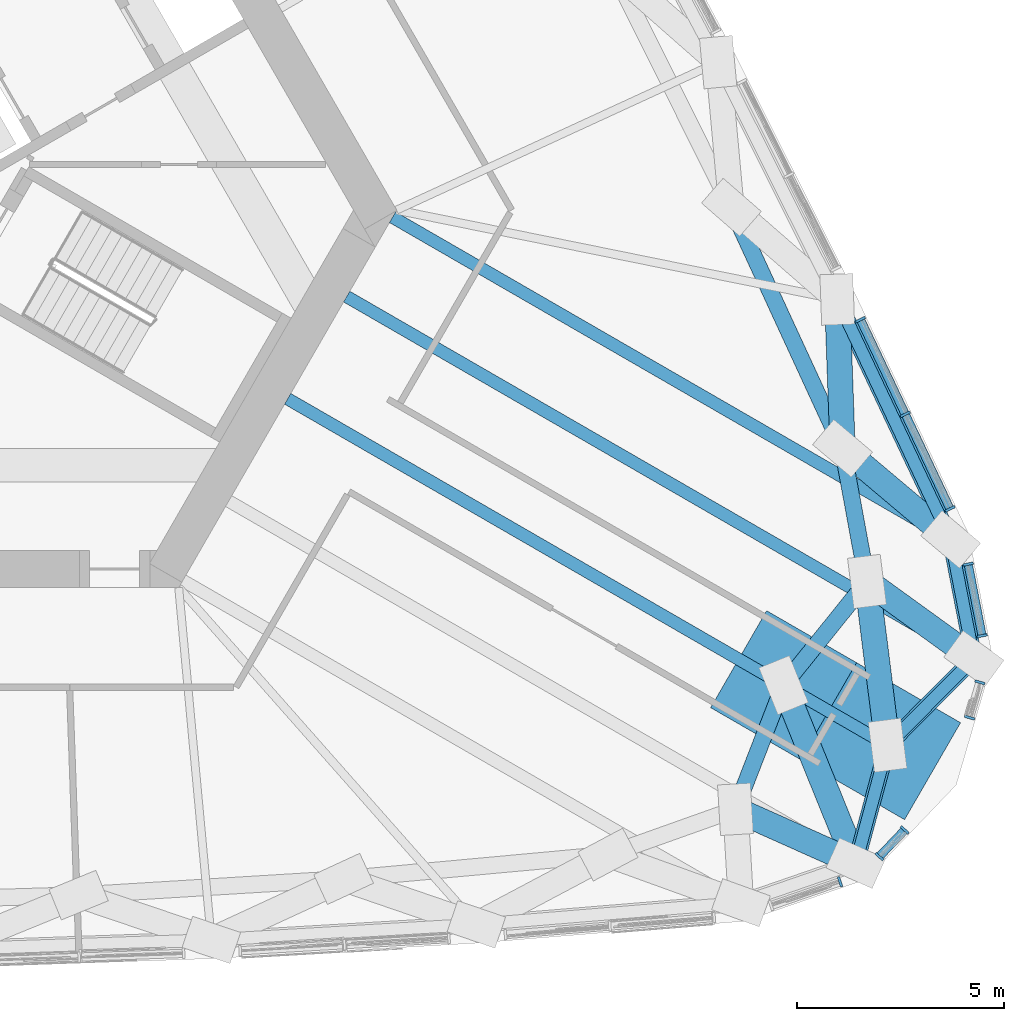
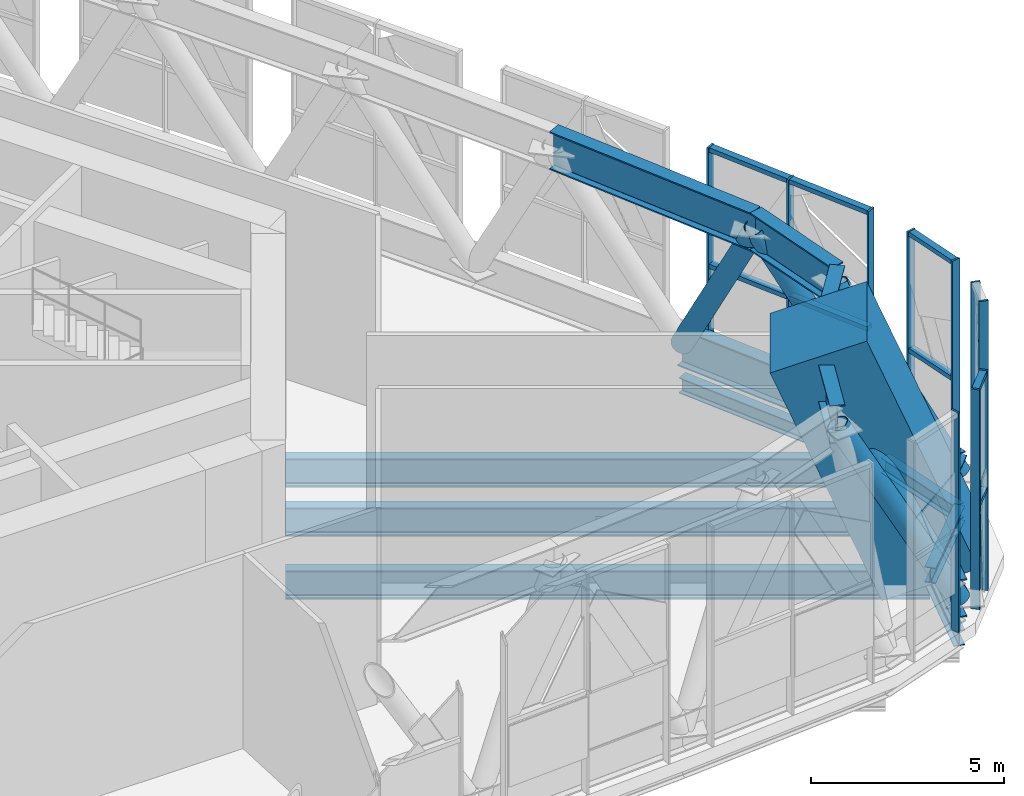
# One storey, part 6 of 33: 33 members, 7 beams, 2 elements without a shape of their own.
"""IFC4 building model written with IfcOpenShell, lengths in metres."""

from ifc_helpers import new_model, si_unit, direction, frame, origin, origin_2d, place, context, subcontext, project, spatial, rectangle, hollow_circle, i_section, extrude, material, material_profile, profile_set, type_object, element, aggregate, save


model = new_model("IFC4")

# Units and contexts
model_context = context("Model", 3, precision=1e-05, world=origin(), true_north=direction((0.0, 1.0)))
body_context = subcontext(model_context, "Body", "Model", "MODEL_VIEW")
ifc_project = project(units=[si_unit("LENGTHUNIT", "METRE"), si_unit("AREAUNIT", "SQUARE_METRE"), si_unit("VOLUMEUNIT", "CUBIC_METRE"), si_unit("PLANEANGLEUNIT", "RADIAN"), si_unit("MASSUNIT", "GRAM", prefix="KILO")], contexts=[model_context])

# Site, building, storey
site_placement = place(None, origin())
site = spatial("IfcSite", under=ifc_project, at=site_placement, CompositionType="ELEMENT")
building_placement = place(site_placement, origin())
building = spatial("IfcBuilding", under=site, at=building_placement, Name="Mestral Congress Tower", CompositionType="ELEMENT")
storey_placement = place(building_placement, frame((0.0, 0.0, 134.39990234375)))
storey = spatial("IfcBuildingStorey", under=building, at=storey_placement, Name="L32", CompositionType="ELEMENT", Elevation=134.39990234375)

# Members
ifc_material_1 = material(Name="Steel S355", Category="steel")
ifc_material_profile_1 = material_profile(ifc_material_1, i_section(OverallWidth=0.39990234375, OverallDepth=1.199951171875, WebThickness=0.02001953125, FlangeThickness=0.0400390625, FilletRadius=0.010009765625, at=origin_2d()), Name="WPG 1200")
ifc_profile_set_1 = profile_set([ifc_material_profile_1], Name="Steel S355")
member_type_1 = type_object("IfcMemberType", Name="Belt chord WPG 1200 S355", PredefinedType="CHORD", material=ifc_profile_set_1)
member_1_placement = place(storey_placement, frame((28.331298828125, -19.642822265625, 0.60009765625), z_axis=(0.260071585357, 0.96558933843, 0.0), x_axis=(-0.96558933843, 0.260071585357, 0.0)))
element("IfcMember", 1, at=member_1_placement, inside=storey, type_object=member_type_1, Name="MB-L32-BC2-SE1", PredefinedType="CHORD", context=body_context, shape_type="SweptSolid", body=[
    extrude(i_section(OverallWidth=0.39990234375, OverallDepth=1.199951171875, WebThickness=0.02001953125, FlangeThickness=0.0400390625, FilletRadius=0.010009765625, at=origin_2d()), origin(), (0.0, 0.0, 1.0), 2.94482421875),
])
member_2_placement = place(storey_placement, frame((29.09716796875, -16.79931640625, 0.60009765625), z_axis=(0.706152774218, 0.708059502771, 0.0), x_axis=(-0.708059502771, 0.706152774218, 0.0)))
element("IfcMember", 2, at=member_2_placement, inside=storey, type_object=member_type_1, Name="MB-L32-BC2-SE", PredefinedType="CHORD", context=body_context, shape_type="SweptSolid", body=[
    extrude(i_section(OverallWidth=0.39990234375, OverallDepth=1.199951171875, WebThickness=0.02001953125, FlangeThickness=0.0400390625, FilletRadius=0.010009765625, at=origin_2d()), origin(), (0.0, 0.0, 1.0), 2.945068359375),
])
member_3_placement = place(storey_placement, frame((31.1767578125, -14.714111328125, 0.60009765625), z_axis=(-0.190501452066, 0.981686913818, 0.0), x_axis=(-0.981686913818, -0.190501452066, 0.0)))
element("IfcMember", 3, at=member_3_placement, inside=storey, type_object=member_type_1, Name="MB-L32-BC2-SE3", PredefinedType="CHORD", context=body_context, shape_type="SweptSolid", body=[
    extrude(i_section(OverallWidth=0.39990234375, OverallDepth=1.199951171875, WebThickness=0.02001953125, FlangeThickness=0.0400390625, FilletRadius=0.010009765625, at=origin_2d()), origin(), (0.0, 0.0, 1.0), 2.928466796875),
])
member_4_placement = place(storey_placement, frame((30.618896484375, -11.83935546875, 0.60009765625), z_axis=(-0.427513966881, 0.904008743388, 0.0), x_axis=(-0.904008743388, -0.427513966881, 0.0)))
element("IfcMember", 4, at=member_4_placement, inside=storey, type_object=member_type_1, Name="MB-L32-BC2-E00", PredefinedType="CHORD", context=body_context, shape_type="SweptSolid", body=[
    extrude(i_section(OverallWidth=0.39990234375, OverallDepth=1.199951171875, WebThickness=0.02001953125, FlangeThickness=0.0400390625, FilletRadius=0.010009765625, at=origin_2d()), origin(), (0.0, 0.0, 1.0), 6.39990234375),
])
for number, where, z_axis, x_axis, name in (
    (5, (25.4296875, -18.34375, 6.35009765625), (0.361755943135, 0.932272834317, 0.0), (-0.932272834317, 0.361755943135, 0.0), "MB-L32-TC2-SE1"),
    (6, (26.590576171875, -15.35205078125, 6.35009765625), (0.626502543472, 0.779419375576, 0.0), (-0.779419375576, 0.626502543472, 0.0), "MB-L32-TC2-SE"),
):
    element("IfcMember", number, at=place(storey_placement, frame(where, z_axis=z_axis, x_axis=x_axis)), inside=storey, type_object=member_type_1, Name=name, PredefinedType="CHORD", context=body_context, shape_type="SweptSolid", body=[
        extrude(i_section(OverallWidth=0.39990234375, OverallDepth=1.199951171875, WebThickness=0.02001953125, FlangeThickness=0.0400390625, FilletRadius=0.010009765625, at=origin_2d()), origin(), (0.0, 0.0, 1.0), 3.208984375),
    ])
member_5_placement = place(storey_placement, frame((28.60107421875, -12.850830078125, 6.35009765625), z_axis=(-0.180729856011, 0.983532774821, 0.0), x_axis=(-0.983532774821, -0.180729856011, 0.0)))
element("IfcMember", 7, at=member_5_placement, inside=storey, type_object=member_type_1, Name="MB-L32-TC2-SE3", PredefinedType="CHORD", context=body_context, shape_type="SweptSolid", body=[
    extrude(i_section(OverallWidth=0.39990234375, OverallDepth=1.199951171875, WebThickness=0.02001953125, FlangeThickness=0.0400390625, FilletRadius=0.010009765625, at=origin_2d()), origin(), (0.0, 0.0, 1.0), 3.260986328125),
])
member_6_placement = place(storey_placement, frame((28.01171875, -9.6435546875, 6.35009765625), z_axis=(-0.418683166857, 0.908132372394, 0.0), x_axis=(-0.908132372394, -0.418683166857, 0.0)))
element("IfcMember", 8, at=member_6_placement, inside=storey, type_object=member_type_1, Name="MB-L32-TC2-E00", PredefinedType="CHORD", context=body_context, shape_type="SweptSolid", body=[
    extrude(i_section(OverallWidth=0.39990234375, OverallDepth=1.199951171875, WebThickness=0.02001953125, FlangeThickness=0.0400390625, FilletRadius=0.010009765625, at=origin_2d()), origin(), (0.0, 0.0, 1.0), 6.399658203125),
])
ifc_material_profile_2 = material_profile(ifc_material_1, hollow_circle(Radius=0.304931640625, WallThickness=0.02490234375, at=origin_2d()), Name="CHS 610x25")
ifc_profile_set_2 = profile_set([ifc_material_profile_2], Name="Steel S355")
member_type_2 = type_object("IfcMemberType", Name="Belt diagonal CHS 610x25 S355", PredefinedType="BRACE", material=ifc_profile_set_2)
member_7_placement = place(storey_placement, frame((28.331298828125, -19.642822265625, 0.60009765625), z_axis=(-0.441622351044, 0.197717503568, 0.875144266873), x_axis=(-0.408623679905, -0.912702957276, 0.0)))
element("IfcMember", 9, at=member_7_placement, inside=storey, type_object=member_type_2, Name="MD-L32-BD2-SE1.SE1", PredefinedType="BRACE", context=body_context, shape_type="SweptSolid", body=[
    extrude(hollow_circle(Radius=0.304931640625, WallThickness=0.02490234375, at=origin_2d()), origin(), (0.0, 0.0, 1.0), 6.5703125),
])
member_8_placement = place(storey_placement, frame((28.331298828125, -19.642822265625, 0.60009765625), z_axis=(-0.23578601479, 0.581197645152, 0.778854448854), x_axis=(-0.926647450882, -0.375931512079, 0.0)))
element("IfcMember", 10, at=member_8_placement, inside=storey, type_object=member_type_2, Name="MD-L32-BD2-SE1.SE", PredefinedType="BRACE", context=body_context, shape_type="SweptSolid", body=[
    extrude(hollow_circle(Radius=0.304931640625, WallThickness=0.02490234375, at=origin_2d()), origin(), (0.0, 0.0, 1.0), 7.382568359375),
])
member_9_placement = place(storey_placement, frame((29.09716796875, -16.79931640625, 0.60009765625), z_axis=(-0.070943577665, 0.564650827547, 0.822275167896), x_axis=(-0.992199340697, -0.124661414722, 0.0)))
element("IfcMember", 11, at=member_9_placement, inside=storey, type_object=member_type_2, Name="MD-L32-BD2-SE.SE3", PredefinedType="BRACE", context=body_context, shape_type="SweptSolid", body=[
    extrude(hollow_circle(Radius=0.304931640625, WallThickness=0.02490234375, at=origin_2d()), origin(), (0.0, 0.0, 1.0), 6.99267578125),
])
member_10_placement = place(storey_placement, frame((31.1767578125, -14.714111328125, 0.60009765625), z_axis=(-0.392020897575, 0.283592747895, 0.875154140255), x_axis=(-0.586124077179, -0.810221306898, 0.0)))
element("IfcMember", 12, at=member_10_placement, inside=storey, type_object=member_type_2, Name="MD-L32-BD2-SE3.SE3", PredefinedType="BRACE", context=body_context, shape_type="SweptSolid", body=[
    extrude(hollow_circle(Radius=0.304931640625, WallThickness=0.02490234375, at=origin_2d()), origin(), (0.0, 0.0, 1.0), 6.5703125),
])
member_11_placement = place(storey_placement, frame((30.618896484375, -11.83935546875, 0.60009765625), z_axis=(-0.390038224364, 0.328495532346, 0.860209781835), x_axis=(-0.644184267565, -0.764870335038, 0.0)))
element("IfcMember", 13, at=member_11_placement, inside=storey, type_object=member_type_2, Name="MD-L32-BD2-E00.E00", PredefinedType="BRACE", context=body_context, shape_type="SweptSolid", body=[
    extrude(hollow_circle(Radius=0.304931640625, WallThickness=0.02490234375, at=origin_2d()), origin(), (0.0, 0.0, 1.0), 6.684326171875),
])
member_12_placement = place(storey_placement, frame((27.8828125, -6.0537109375, 0.60009765625), z_axis=(0.019013197942, -0.529488754801, 0.848103859703), x_axis=(0.99935590917, 0.035885467903, 0.0)))
element("IfcMember", 14, at=member_12_placement, inside=storey, type_object=member_type_2, Name="MD-L32-BD2-E01.E00", PredefinedType="BRACE", context=body_context, shape_type="SweptSolid", body=[
    extrude(hollow_circle(Radius=0.304931640625, WallThickness=0.02490234375, at=origin_2d()), origin(), (0.0, 0.0, 1.0), 6.77978515625),
])

# Curtain wall, members
ifc_material_2 = material(Name="Clear low-emissivity double glazing", Category="glass")
curtain_wall_type = type_object("IfcCurtainWallType", Name="Facade sky lobby curtain wall", PredefinedType="USERDEFINED", material=ifc_material_2)
placement = place(storey_placement, origin())
curtain_wall_1 = element("IfcCurtainWall", 15, at=placement, inside=storey, type_object=curtain_wall_type, Name="Facade sky lobby curtain wall face 2", ObjectType="CURTAIN WALL", PredefinedType="USERDEFINED")
ifc_material_3 = material(Name="Anodised aluminium", Category="aluminium")
ifc_material_profile_3 = material_profile(ifc_material_3, rectangle(XDim=0.25, YDim=0.06005859375, at=origin_2d()), Name="CW1 mullion 250 x 60")
ifc_profile_set_3 = profile_set([ifc_material_profile_3], Name="Anodised aluminium")
member_type_3 = type_object("IfcMemberType", Name="Facade sky lobby curtain wall mullion", PredefinedType="MULLION", material=ifc_profile_set_3)
member_13_placement = place(storey_placement, frame((30.602294921875, -11.102294921875, 0.0), z_axis=(0.0, 0.0, 1.0), x_axis=(0.904005709394, 0.427520382418, 0.0)))
member_13 = element("IfcMember", 16, at=member_13_placement, type_object=member_type_3, Name="Facade sky lobby curtain wall mullion", PredefinedType="MULLION", context=body_context, shape_type="SweptSolid", body=[
    extrude(rectangle(XDim=0.25, YDim=0.06005859375, at=origin_2d()), origin(), (0.0, 0.0, 1.0), 6.9501953125),
])
member_14_placement = place(storey_placement, frame((29.5234375, -8.8212890625, 0.0), z_axis=(0.0, 0.0, 1.0), x_axis=(0.904005709394, 0.427520382418, 0.0)))
member_14 = element("IfcMember", 17, at=member_14_placement, type_object=member_type_3, Name="Facade sky lobby curtain wall mullion", PredefinedType="MULLION", context=body_context, shape_type="SweptSolid", body=[
    extrude(rectangle(XDim=0.25, YDim=0.06005859375, at=origin_2d()), origin(), (0.0, 0.0, 1.0), 6.9501953125),
])
member_15_placement = place(storey_placement, frame((28.44482421875, -6.5400390625, 0.0), z_axis=(0.0, 0.0, 1.0), x_axis=(0.904005709394, 0.427520382418, 0.0)))
member_15 = element("IfcMember", 18, at=member_15_placement, type_object=member_type_3, Name="Facade sky lobby curtain wall mullion", PredefinedType="MULLION", context=body_context, shape_type="SweptSolid", body=[
    extrude(rectangle(XDim=0.25, YDim=0.06005859375, at=origin_2d()), origin(), (0.0, 0.0, 1.0), 6.9501953125),
])

curtain_wall_2 = element("IfcCurtainWall", 19, at=placement, inside=storey, type_object=curtain_wall_type, Name="Facade sky lobby curtain wall corner 1", ObjectType="CURTAIN WALL", PredefinedType="USERDEFINED")
member_16_placement = place(storey_placement, frame((27.950927734375, -20.09130859375, 0.0), z_axis=(0.0, 0.0, 1.0), x_axis=(0.325886632538, -0.9454088548, 0.0)))
member_16 = element("IfcMember", 20, at=member_16_placement, type_object=member_type_3, Name="Facade sky lobby curtain wall mullion", PredefinedType="MULLION", context=body_context, shape_type="SweptSolid", body=[
    extrude(rectangle(XDim=0.25, YDim=0.06005859375, at=origin_2d()), origin(), (0.0, 0.0, 1.0), 6.9501953125),
])
member_17_placement = place(storey_placement, frame((28.8974609375, -19.484130859375, 0.0), z_axis=(0.0, 0.0, 1.0), x_axis=(0.723451706468, -0.690374991152, 0.0)))
member_17 = element("IfcMember", 21, at=member_17_placement, type_object=member_type_3, Name="Facade sky lobby curtain wall mullion", PredefinedType="MULLION", context=body_context, shape_type="SweptSolid", body=[
    extrude(rectangle(XDim=0.25, YDim=0.06005859375, at=origin_2d()), origin(), (0.0, 0.0, 1.0), 6.9501953125),
])
member_18_placement = place(storey_placement, frame((29.509765625, -18.84228515625, 0.0), z_axis=(0.0, 0.0, 1.0), x_axis=(0.723451706468, -0.690374991152, 0.0)))
member_18 = element("IfcMember", 22, at=member_18_placement, type_object=member_type_3, Name="Facade sky lobby curtain wall mullion", PredefinedType="MULLION", context=body_context, shape_type="SweptSolid", body=[
    extrude(rectangle(XDim=0.25, YDim=0.06005859375, at=origin_2d()), origin(), (0.0, 0.0, 1.0), 6.9501953125),
])
member_19_placement = place(storey_placement, frame((31.072998046875, -16.135009765625, 0.0), z_axis=(0.0, 0.0, 1.0), x_axis=(0.959609115766, -0.281336710971, 0.0)))
member_19 = element("IfcMember", 23, at=member_19_placement, type_object=member_type_3, Name="Facade sky lobby curtain wall mullion", PredefinedType="MULLION", context=body_context, shape_type="SweptSolid", body=[
    extrude(rectangle(XDim=0.25, YDim=0.06005859375, at=origin_2d()), origin(), (0.0, 0.0, 1.0), 6.9501953125),
])
member_20_placement = place(storey_placement, frame((31.322509765625, -15.28369140625, 0.0), z_axis=(0.0, 0.0, 1.0), x_axis=(0.959609115766, -0.281336710971, 0.0)))
member_20 = element("IfcMember", 24, at=member_20_placement, type_object=member_type_3, Name="Facade sky lobby curtain wall mullion", PredefinedType="MULLION", context=body_context, shape_type="SweptSolid", body=[
    extrude(rectangle(XDim=0.25, YDim=0.06005859375, at=origin_2d()), origin(), (0.0, 0.0, 1.0), 6.9501953125),
])
member_21_placement = place(storey_placement, frame((31.375, -14.16064453125, 0.0), z_axis=(0.0, 0.0, 1.0), x_axis=(0.981691733934, 0.190476611493, 0.0)))
member_21 = element("IfcMember", 25, at=member_21_placement, type_object=member_type_3, Name="Facade sky lobby curtain wall mullion", PredefinedType="MULLION", context=body_context, shape_type="SweptSolid", body=[
    extrude(rectangle(XDim=0.25, YDim=0.06005859375, at=origin_2d()), origin(), (0.0, 0.0, 1.0), 6.9501953125),
])
member_22_placement = place(storey_placement, frame((31.039794921875, -12.43359375, 0.0), z_axis=(0.0, 0.0, 1.0), x_axis=(0.981691733934, 0.190476611493, 0.0)))
member_22 = element("IfcMember", 26, at=member_22_placement, type_object=member_type_3, Name="Facade sky lobby curtain wall mullion", PredefinedType="MULLION", context=body_context, shape_type="SweptSolid", body=[
    extrude(rectangle(XDim=0.25, YDim=0.06005859375, at=origin_2d()), origin(), (0.0, 0.0, 1.0), 6.9501953125),
])

# Member
ifc_material_profile_4 = material_profile(ifc_material_3, rectangle(XDim=0.199951171875, YDim=0.139892578125, at=origin_2d()), Name="CW1 transom 200 x 140")
ifc_profile_set_4 = profile_set([ifc_material_profile_4], Name="Anodised aluminium")
member_type_4 = type_object("IfcMemberType", Name="Facade sky lobby curtain wall transom", PredefinedType="USERDEFINED", material=ifc_profile_set_4)
member_23_placement = place(storey_placement, frame((30.589599609375, -11.0751953125, 3.2001953125), z_axis=(-0.427562243378, 0.903985911416, 0.0), x_axis=(-0.903985911416, -0.427562243378, 0.0)))
member_23 = element("IfcMember", 27, at=member_23_placement, type_object=member_type_4, Name="Facade sky lobby curtain wall transom", ObjectType="TRANSOM", PredefinedType="USERDEFINED", context=body_context, shape_type="SweptSolid", body=[
    extrude(rectangle(XDim=0.199951171875, YDim=0.139892578125, at=origin_2d()), origin(), (0.0, 0.0, 1.0), 2.46337890625),
])

member_24_placement = place(storey_placement, frame((30.589599609375, -11.0751953125, 6.880126953125), z_axis=(-0.427562243378, 0.903985911416, 0.0), x_axis=(-0.903985911416, -0.427562243378, 0.0)))
member_24 = element("IfcMember", 28, at=member_24_placement, type_object=member_type_4, Name="Facade sky lobby curtain wall transom", ObjectType="TRANSOM", PredefinedType="USERDEFINED", context=body_context, shape_type="SweptSolid", body=[
    extrude(rectangle(XDim=0.199951171875, YDim=0.139892578125, at=origin_2d()), origin(), (0.0, 0.0, 1.0), 2.46337890625),
])

member_25_placement = place(storey_placement, frame((29.5107421875, -8.794189453125, 3.2001953125), z_axis=(-0.427523939243, 0.9040040273, 0.0), x_axis=(-0.9040040273, -0.427523939243, 0.0)))
member_25 = element("IfcMember", 29, at=member_25_placement, type_object=member_type_4, Name="Facade sky lobby curtain wall transom", ObjectType="TRANSOM", PredefinedType="USERDEFINED", context=body_context, shape_type="SweptSolid", body=[
    extrude(rectangle(XDim=0.199951171875, YDim=0.139892578125, at=origin_2d()), origin(), (0.0, 0.0, 1.0), 2.463623046875),
])

member_26_placement = place(storey_placement, frame((29.5107421875, -8.794189453125, 6.880126953125), z_axis=(-0.427523939243, 0.9040040273, 0.0), x_axis=(-0.9040040273, -0.427523939243, 0.0)))
member_26 = element("IfcMember", 30, at=member_26_placement, type_object=member_type_4, Name="Facade sky lobby curtain wall transom", ObjectType="TRANSOM", PredefinedType="USERDEFINED", context=body_context, shape_type="SweptSolid", body=[
    extrude(rectangle(XDim=0.199951171875, YDim=0.139892578125, at=origin_2d()), origin(), (0.0, 0.0, 1.0), 2.463623046875),
])

aggregate(curtain_wall_1, [member_13, member_14, member_15, member_23, member_24, member_25, member_26])

member_27_placement = place(storey_placement, frame((28.918212890625, -19.46240234375, 3.2001953125), z_axis=(0.69022995414, 0.723590084515, 0.0), x_axis=(-0.723590084515, 0.69022995414, 0.0)))
member_27 = element("IfcMember", 31, at=member_27_placement, type_object=member_type_4, Name="Facade sky lobby curtain wall transom", ObjectType="TRANSOM", PredefinedType="USERDEFINED", context=body_context, shape_type="SweptSolid", body=[
    extrude(rectangle(XDim=0.199951171875, YDim=0.139892578125, at=origin_2d()), origin(), (0.0, 0.0, 1.0), 0.826904296875),
])

member_28_placement = place(storey_placement, frame((28.918212890625, -19.46240234375, 6.880126953125), z_axis=(0.69022995414, 0.723590084515, 0.0), x_axis=(-0.723590084515, 0.69022995414, 0.0)))
member_28 = element("IfcMember", 32, at=member_28_placement, type_object=member_type_4, Name="Facade sky lobby curtain wall transom", ObjectType="TRANSOM", PredefinedType="USERDEFINED", context=body_context, shape_type="SweptSolid", body=[
    extrude(rectangle(XDim=0.199951171875, YDim=0.139892578125, at=origin_2d()), origin(), (0.0, 0.0, 1.0), 0.826904296875),
])

member_29_placement = place(storey_placement, frame((31.369384765625, -14.131103515625, 3.2001953125), z_axis=(-0.190504332861, 0.98168635478, 0.0), x_axis=(-0.98168635478, -0.190504332861, 0.0)))
member_29 = element("IfcMember", 33, at=member_29_placement, type_object=member_type_4, Name="Facade sky lobby curtain wall transom", ObjectType="TRANSOM", PredefinedType="USERDEFINED", context=body_context, shape_type="SweptSolid", body=[
    extrude(rectangle(XDim=0.199951171875, YDim=0.139892578125, at=origin_2d()), origin(), (0.0, 0.0, 1.0), 1.69921875),
])

member_30_placement = place(storey_placement, frame((31.369384765625, -14.131103515625, 6.880126953125), z_axis=(-0.190504332861, 0.98168635478, 0.0), x_axis=(-0.98168635478, -0.190504332861, 0.0)))
member_30 = element("IfcMember", 34, at=member_30_placement, type_object=member_type_4, Name="Facade sky lobby curtain wall transom", ObjectType="TRANSOM", PredefinedType="USERDEFINED", context=body_context, shape_type="SweptSolid", body=[
    extrude(rectangle(XDim=0.199951171875, YDim=0.139892578125, at=origin_2d()), origin(), (0.0, 0.0, 1.0), 1.69921875),
])

aggregate(curtain_wall_2, [member_16, member_17, member_18, member_27, member_28, member_19, member_20, member_21, member_22, member_29, member_30])

# Beams
ifc_material_profile_5 = material_profile(ifc_material_1, i_section(OverallWidth=0.300048828125, OverallDepth=0.89990234375, WebThickness=0.0185546875, FlangeThickness=0.034912109375, FilletRadius=0.030029296875, at=origin_2d()), Name="HEB 900")
ifc_profile_set_5 = profile_set([ifc_material_profile_5], Name="Steel S355")
beam_type_1 = type_object("IfcBeamType", Name="Floor beam HEB 900 S355", PredefinedType="BEAM", material=ifc_profile_set_5)
beam_1_placement = place(storey_placement, frame((29.09716796875, -16.79931640625, -0.849853515625), z_axis=(-0.86602392139, 0.500002567573, 0.0), x_axis=(-0.500002567573, -0.86602392139, 0.0)))
element("IfcBeam", 35, at=beam_1_placement, inside=storey, type_object=beam_type_1, Name="BM-L32-RB2-SE", PredefinedType="BEAM", context=body_context, shape_type="SweptSolid", body=[
    extrude(i_section(OverallWidth=0.300048828125, OverallDepth=0.89990234375, WebThickness=0.0185546875, FlangeThickness=0.034912109375, FilletRadius=0.030029296875, at=origin_2d()), origin(), (0.0, 0.0, 1.0), 16.69873046875),
])
beam_2_placement = place(storey_placement, frame((31.1767578125, -14.714111328125, -0.849853515625), z_axis=(-0.866024423162, 0.500001698484, 0.0), x_axis=(-0.500001698484, -0.866024423162, 0.0)))
element("IfcBeam", 36, at=beam_2_placement, inside=storey, type_object=beam_type_1, Name="BM-L32-RB2-SE3", PredefinedType="BEAM", context=body_context, shape_type="SweptSolid", body=[
    extrude(i_section(OverallWidth=0.300048828125, OverallDepth=0.89990234375, WebThickness=0.0185546875, FlangeThickness=0.034912109375, FilletRadius=0.030029296875, at=origin_2d()), origin(), (0.0, 0.0, 1.0), 17.45703125),
])
beam_3_placement = place(storey_placement, frame((30.618896484375, -11.83935546875, -0.849853515625), z_axis=(-0.866020985544, 0.500007652538, 0.0), x_axis=(-0.500007652538, -0.866020985544, 0.0)))
element("IfcBeam", 37, at=beam_3_placement, inside=storey, type_object=beam_type_1, Name="BM-L32-RB2-E00", PredefinedType="BEAM", context=body_context, shape_type="SweptSolid", body=[
    extrude(i_section(OverallWidth=0.300048828125, OverallDepth=0.89990234375, WebThickness=0.0185546875, FlangeThickness=0.034912109375, FilletRadius=0.030029296875, at=origin_2d()), origin(), (0.0, 0.0, 1.0), 15.536376953125),
])

# Member
ifc_material_4 = material(Name="Concrete C70/85", Category="concrete")
ifc_material_profile_6 = material_profile(ifc_material_4, rectangle(XDim=2.699951171875, YDim=2.699951171875, at=origin_2d()), Name="RC 2700x2700")
ifc_profile_set_6 = profile_set([ifc_material_profile_6], Name="Concrete C70/85")
member_type_5 = type_object("IfcMemberType", Name="Pylon shift strut RC 2700x2700 C70/85", PredefinedType="STRUT", material=ifc_profile_set_6)
member_31_placement = place(storey_placement, frame((29.09716796875, -16.79931640625, 0.0), z_axis=(-0.323006916715, 0.186498977529, 0.927838705344), x_axis=(-0.500021811663, -0.866012810449, 0.0)))
element("IfcMember", 38, at=member_31_placement, inside=storey, type_object=member_type_5, Name="MS-L32-PS2-SE", PredefinedType="STRUT", context=body_context, shape_type="SweptSolid", body=[
    extrude(rectangle(XDim=2.699951171875, YDim=2.699951171875, at=origin_2d()), origin(), (0.0, 0.0, 1.0), 7.76025390625),
])

# Beams
ifc_material_profile_7 = material_profile(ifc_material_1, i_section(OverallWidth=0.300048828125, OverallDepth=0.489990234375, WebThickness=0.011962890625, FlangeThickness=0.02294921875, FilletRadius=0.027099609375, at=origin_2d()), Name="HEA 500")
ifc_profile_set_7 = profile_set([ifc_material_profile_7], Name="Steel S355")
beam_type_2 = type_object("IfcBeamType", Name="Spandrel beam HEA 500 S355", PredefinedType="BEAM", material=ifc_profile_set_7)
beam_4_placement = place(storey_placement, frame((28.331298828125, -19.642822265625, -0.64501953125), z_axis=(0.260071585357, 0.96558933843, 0.0), x_axis=(-0.96558933843, 0.260071585357, 0.0)))
element("IfcBeam", 39, at=beam_4_placement, inside=storey, type_object=beam_type_2, Name="SP-L32-SB2-SE1", PredefinedType="BEAM", context=body_context, shape_type="SweptSolid", body=[
    extrude(i_section(OverallWidth=0.300048828125, OverallDepth=0.489990234375, WebThickness=0.011962890625, FlangeThickness=0.02294921875, FilletRadius=0.027099609375, at=origin_2d()), origin(), (0.0, 0.0, 1.0), 2.94482421875),
])
beam_5_placement = place(storey_placement, frame((29.09716796875, -16.79931640625, -0.64501953125), z_axis=(0.706152774218, 0.708059502771, 0.0), x_axis=(-0.708059502771, 0.706152774218, 0.0)))
element("IfcBeam", 40, at=beam_5_placement, inside=storey, type_object=beam_type_2, Name="SP-L32-SB2-SE", PredefinedType="BEAM", context=body_context, shape_type="SweptSolid", body=[
    extrude(i_section(OverallWidth=0.300048828125, OverallDepth=0.489990234375, WebThickness=0.011962890625, FlangeThickness=0.02294921875, FilletRadius=0.027099609375, at=origin_2d()), origin(), (0.0, 0.0, 1.0), 2.945068359375),
])
beam_6_placement = place(storey_placement, frame((31.1767578125, -14.714111328125, -0.64501953125), z_axis=(-0.190501452066, 0.981686913818, 0.0), x_axis=(-0.981686913818, -0.190501452066, 0.0)))
element("IfcBeam", 41, at=beam_6_placement, inside=storey, type_object=beam_type_2, Name="SP-L32-SB2-SE3", PredefinedType="BEAM", context=body_context, shape_type="SweptSolid", body=[
    extrude(i_section(OverallWidth=0.300048828125, OverallDepth=0.489990234375, WebThickness=0.011962890625, FlangeThickness=0.02294921875, FilletRadius=0.027099609375, at=origin_2d()), origin(), (0.0, 0.0, 1.0), 2.928466796875),
])
beam_7_placement = place(storey_placement, frame((30.618896484375, -11.83935546875, -0.64501953125), z_axis=(-0.427513966881, 0.904008743388, 0.0), x_axis=(-0.904008743388, -0.427513966881, 0.0)))
element("IfcBeam", 42, at=beam_7_placement, inside=storey, type_object=beam_type_2, Name="SP-L32-SB2-E00", PredefinedType="BEAM", context=body_context, shape_type="SweptSolid", body=[
    extrude(i_section(OverallWidth=0.300048828125, OverallDepth=0.489990234375, WebThickness=0.011962890625, FlangeThickness=0.02294921875, FilletRadius=0.027099609375, at=origin_2d()), origin(), (0.0, 0.0, 1.0), 6.39990234375),
])

save(model, "model.ifc")
